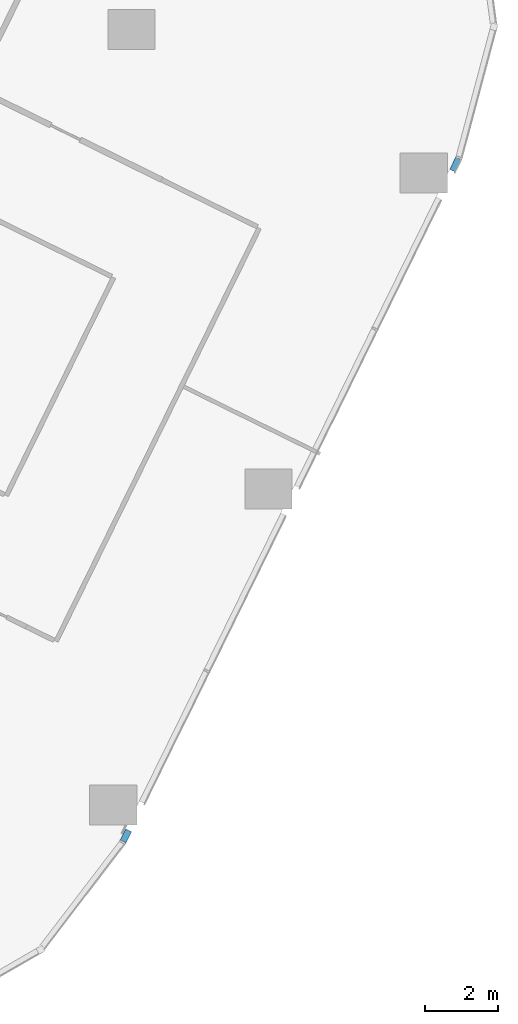
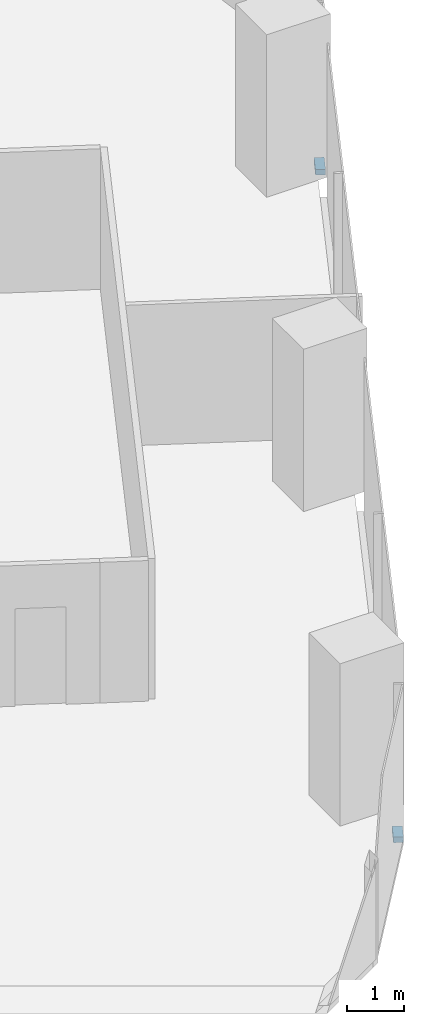
# One storey, part 17 of 38: 2 members, 1 element without a shape of its own.
"""IFC4 building model written with IfcOpenShell, lengths in metres."""

from ifc_helpers import new_model, si_unit, direction, frame, origin, origin_2d, place, context, subcontext, project, spatial, rectangle, extrude, material, material_profile, profile_set, type_object, element, aggregate, save


model = new_model("IFC4")

# Units and contexts
model_context = context("Model", 3, precision=1e-05, world=origin(), true_north=direction((0.0, 1.0)))
body_context = subcontext(model_context, "Body", "Model", "MODEL_VIEW")
ifc_project = project(units=[si_unit("LENGTHUNIT", "METRE"), si_unit("AREAUNIT", "SQUARE_METRE"), si_unit("VOLUMEUNIT", "CUBIC_METRE"), si_unit("PLANEANGLEUNIT", "RADIAN"), si_unit("MASSUNIT", "GRAM", prefix="KILO")], contexts=[model_context])

# Site, building, storey
site_placement = place(None, origin())
site = spatial("IfcSite", under=ifc_project, at=site_placement, CompositionType="ELEMENT")
building_placement = place(site_placement, origin())
building = spatial("IfcBuilding", under=site, at=building_placement, Name="Orlundy Tower", CompositionType="ELEMENT")
storey_placement = place(building_placement, frame((0.0, 0.0, 69.300048828125)))
storey = spatial("IfcBuildingStorey", under=building, at=storey_placement, Name="L16", CompositionType="ELEMENT", Elevation=69.300048828125)

# Curtain wall, members
ifc_material_1 = material(Name="Aluminium bronze anodised", Category="aluminium")
curtain_wall_type = type_object("IfcCurtainWallType", Name="CW1 wall", PredefinedType="NOTDEFINED", material=ifc_material_1)
curtain_wall_placement = place(storey_placement, origin())
curtain_wall = element("IfcCurtainWall", 1, at=curtain_wall_placement, inside=storey, type_object=curtain_wall_type, Name="CW1 run 023", PredefinedType="NOTDEFINED")
ifc_material_2 = material(Name="Aluminium bronze anodised", Category="aluminium")
ifc_material_profile = material_profile(ifc_material_2, rectangle(XDim=0.179931640625, YDim=0.1201171875, at=origin_2d()), Name="CW1 transom 180x120")
ifc_profile_set = profile_set([ifc_material_profile], Name="Aluminium bronze anodised")
member_type = type_object("IfcMemberType", Name="CW1 transom 180x120", PredefinedType="USERDEFINED", material=ifc_profile_set)
member_1_placement = place(storey_placement, frame((59.003662109375, -17.310302734375, -0.340087890625), z_axis=(-0.440922371346, -0.897545242562, 0.0), x_axis=(0.897545242562, -0.440922371346, 0.0)))
member_1 = element("IfcMember", 2, at=member_1_placement, type_object=member_type, Name="CW1 transom", ObjectType="TRANSOM", PredefinedType="USERDEFINED", context=body_context, shape_type="SweptSolid", body=[
    extrude(rectangle(XDim=0.179931640625, YDim=0.1201171875, at=origin_2d()), origin(), (0.0, 0.0, 1.0), 0.373291015625),
])
member_2_placement = place(storey_placement, frame((49.907958984375, -35.821044921875, -0.340087890625), z_axis=(-0.441498536709, -0.897261969596, 0.0), x_axis=(0.897261969596, -0.441498536709, 0.0)))
member_2 = element("IfcMember", 3, at=member_2_placement, type_object=member_type, Name="CW1 transom", ObjectType="TRANSOM", PredefinedType="USERDEFINED", context=body_context, shape_type="SweptSolid", body=[
    extrude(rectangle(XDim=0.179931640625, YDim=0.1201171875, at=origin_2d()), origin(), (0.0, 0.0, 1.0), 0.34228515625),
])
aggregate(curtain_wall, [member_1, member_2])

save(model, "model.ifc")
